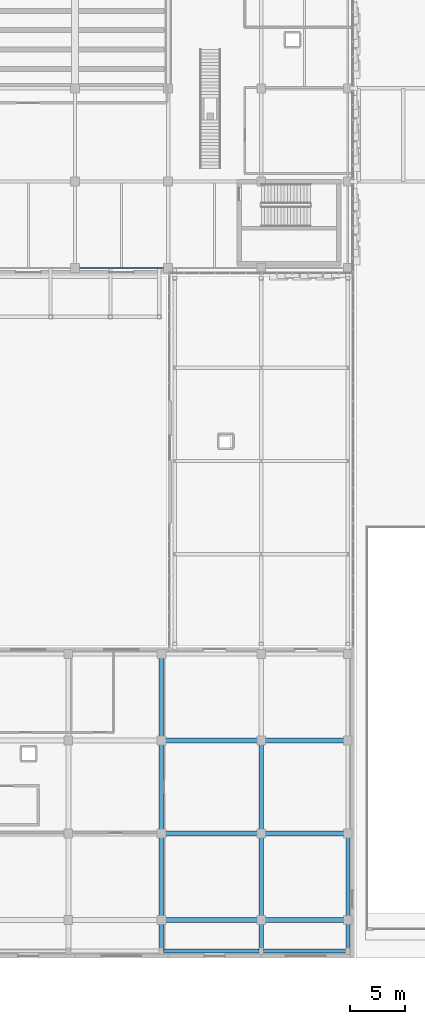
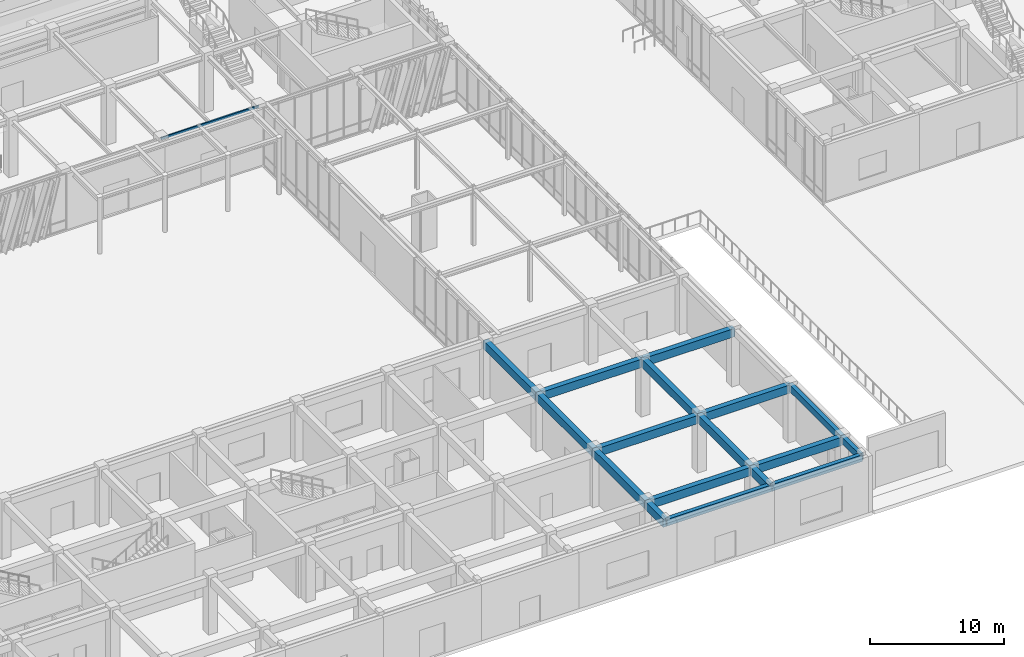
# One storey, part 13 of 122: 18 beams.
"""IFC4 building model written with IfcOpenShell, lengths in metres."""

from ifc_helpers import new_model, si_unit, direction, frame, origin, origin_2d, place, context, subcontext, project, spatial, rectangle, hollow_rectangle, extrude, material, material_profile, profile_set, type_object, element, save


model = new_model("IFC4")

# Units and contexts
model_context = context("Model", 3, precision=1e-05, world=origin(), true_north=direction((0.0, 1.0)))
body_context = subcontext(model_context, "Body", "Model", "MODEL_VIEW")
ifc_project = project(units=[si_unit("LENGTHUNIT", "METRE"), si_unit("AREAUNIT", "SQUARE_METRE"), si_unit("VOLUMEUNIT", "CUBIC_METRE"), si_unit("PLANEANGLEUNIT", "RADIAN"), si_unit("MASSUNIT", "GRAM", prefix="KILO")], contexts=[model_context])

# Site, building, storey
site_placement = place(None, origin())
site = spatial("IfcSite", under=ifc_project, at=site_placement, CompositionType="ELEMENT")
building_placement = place(site_placement, origin())
building = spatial("IfcBuilding", under=site, at=building_placement, Name="Zayran Congress Hotel", CompositionType="ELEMENT")
storey_placement = place(building_placement, origin())
storey = spatial("IfcBuildingStorey", under=building, at=storey_placement, Name="L00", CompositionType="ELEMENT", Elevation=0.0)

# Beams
ifc_material_1 = material(Name="Concrete C40/50", Category="concrete")
ifc_material_profile_1 = material_profile(ifc_material_1, rectangle(XDim=0.449951171875, YDim=0.75, at=origin_2d()), Name="RC 450x750")
ifc_profile_set_1 = profile_set([ifc_material_profile_1], Name="Concrete C40/50")
beam_type_1 = type_object("IfcBeamType", Name="TP-BM-02", PredefinedType="BEAM", material=ifc_profile_set_1)
beam_1_placement = place(storey_placement, frame((75.0, 9.39990234375, 4.72509765625), z_axis=(1.0, 0.0, 0.0), x_axis=(0.0, 1.0, 0.0)))
element("IfcBeam", 1, at=beam_1_placement, inside=storey, type_object=beam_type_1, Name="BM-V5-L00-1602", PredefinedType="BEAM", context=body_context, shape_type="SweptSolid", body=[
    extrude(rectangle(XDim=0.449951171875, YDim=0.75, at=origin_2d()), origin(), (0.0, 0.0, 1.0), 9.0),
])
beam_2_placement = place(storey_placement, frame((84.0, 9.39990234375, 4.72509765625), z_axis=(1.0, 0.0, 0.0), x_axis=(0.0, 1.0, 0.0)))
element("IfcBeam", 2, at=beam_2_placement, inside=storey, type_object=beam_type_1, Name="BM-V5-L00-1603", PredefinedType="BEAM", context=body_context, shape_type="SweptSolid", body=[
    extrude(rectangle(XDim=0.449951171875, YDim=0.75, at=origin_2d()), origin(), (0.0, 0.0, 1.0), 7.800048828125),
])
beam_3_placement = place(storey_placement, frame((75.0, 17.199951171875, 4.72509765625), z_axis=(1.0, 0.0, 0.0), x_axis=(0.0, 1.0, 0.0)))
element("IfcBeam", 3, at=beam_3_placement, inside=storey, type_object=beam_type_1, Name="BM-V5-L00-1612", PredefinedType="BEAM", context=body_context, shape_type="SweptSolid", body=[
    extrude(rectangle(XDim=0.449951171875, YDim=0.75, at=origin_2d()), origin(), (0.0, 0.0, 1.0), 9.0),
])
beam_4_placement = place(storey_placement, frame((84.0, 17.199951171875, 4.72509765625), z_axis=(1.0, 0.0, 0.0), x_axis=(0.0, 1.0, 0.0)))
element("IfcBeam", 4, at=beam_4_placement, inside=storey, type_object=beam_type_1, Name="BM-V5-L00-1613", PredefinedType="BEAM", context=body_context, shape_type="SweptSolid", body=[
    extrude(rectangle(XDim=0.449951171875, YDim=0.75, at=origin_2d()), origin(), (0.0, 0.0, 1.0), 7.800048828125),
])
beam_5_placement = place(storey_placement, frame((75.0, 25.60009765625, 4.72509765625), z_axis=(1.0, 0.0, 0.0), x_axis=(0.0, 1.0, 0.0)))
element("IfcBeam", 5, at=beam_5_placement, inside=storey, type_object=beam_type_1, Name="BM-V5-L00-1622", PredefinedType="BEAM", context=body_context, shape_type="SweptSolid", body=[
    extrude(rectangle(XDim=0.449951171875, YDim=0.75, at=origin_2d()), origin(), (0.0, 0.0, 1.0), 9.0),
])
beam_6_placement = place(storey_placement, frame((84.0, 25.60009765625, 4.72509765625), z_axis=(1.0, 0.0, 0.0), x_axis=(0.0, 1.0, 0.0)))
element("IfcBeam", 6, at=beam_6_placement, inside=storey, type_object=beam_type_1, Name="BM-V5-L00-1623", PredefinedType="BEAM", context=body_context, shape_type="SweptSolid", body=[
    extrude(rectangle(XDim=0.449951171875, YDim=0.75, at=origin_2d()), origin(), (0.0, 0.0, 1.0), 7.800048828125),
])
beam_7_placement = place(storey_placement, frame((75.0, 6.60009765625, 4.72509765625), z_axis=(0.0, 1.0, 0.0), x_axis=(-1.0, 0.0, 0.0)))
element("IfcBeam", 7, at=beam_7_placement, inside=storey, type_object=beam_type_1, Name="BM-V5-L00-1664", PredefinedType="BEAM", context=body_context, shape_type="SweptSolid", body=[
    extrude(rectangle(XDim=0.449951171875, YDim=0.75, at=origin_2d()), origin(), (0.0, 0.0, 1.0), 2.7998046875),
])
beam_8_placement = place(storey_placement, frame((75.0, 9.39990234375, 4.72509765625), z_axis=(0.0, 1.0, 0.0), x_axis=(-1.0, 0.0, 0.0)))
element("IfcBeam", 8, at=beam_8_placement, inside=storey, type_object=beam_type_1, Name="BM-V5-L00-1665", PredefinedType="BEAM", context=body_context, shape_type="SweptSolid", body=[
    extrude(rectangle(XDim=0.449951171875, YDim=0.75, at=origin_2d()), origin(), (0.0, 0.0, 1.0), 7.800048828125),
])
beam_9_placement = place(storey_placement, frame((75.0, 17.199951171875, 4.72509765625), z_axis=(0.0, 1.0, 0.0), x_axis=(-1.0, 0.0, 0.0)))
element("IfcBeam", 9, at=beam_9_placement, inside=storey, type_object=beam_type_1, Name="BM-V5-L00-1666", PredefinedType="BEAM", context=body_context, shape_type="SweptSolid", body=[
    extrude(rectangle(XDim=0.449951171875, YDim=0.75, at=origin_2d()), origin(), (0.0, 0.0, 1.0), 8.400146484375),
])
beam_10_placement = place(storey_placement, frame((75.0, 25.60009765625, 4.72509765625), z_axis=(0.0, 1.0, 0.0), x_axis=(-1.0, 0.0, 0.0)))
element("IfcBeam", 10, at=beam_10_placement, inside=storey, type_object=beam_type_1, Name="BM-V5-L00-1667", PredefinedType="BEAM", context=body_context, shape_type="SweptSolid", body=[
    extrude(rectangle(XDim=0.449951171875, YDim=0.75, at=origin_2d()), origin(), (0.0, 0.0, 1.0), 7.7998046875),
])
beam_11_placement = place(storey_placement, frame((84.0, 6.60009765625, 4.72509765625), z_axis=(0.0, 1.0, 0.0), x_axis=(-1.0, 0.0, 0.0)))
element("IfcBeam", 11, at=beam_11_placement, inside=storey, type_object=beam_type_1, Name="BM-V5-L00-1668", PredefinedType="BEAM", context=body_context, shape_type="SweptSolid", body=[
    extrude(rectangle(XDim=0.449951171875, YDim=0.75, at=origin_2d()), origin(), (0.0, 0.0, 1.0), 2.7998046875),
])
beam_12_placement = place(storey_placement, frame((84.0, 9.39990234375, 4.72509765625), z_axis=(0.0, 1.0, 0.0), x_axis=(-1.0, 0.0, 0.0)))
element("IfcBeam", 12, at=beam_12_placement, inside=storey, type_object=beam_type_1, Name="BM-V5-L00-1669", PredefinedType="BEAM", context=body_context, shape_type="SweptSolid", body=[
    extrude(rectangle(XDim=0.449951171875, YDim=0.75, at=origin_2d()), origin(), (0.0, 0.0, 1.0), 7.800048828125),
])
beam_13_placement = place(storey_placement, frame((84.0, 17.199951171875, 4.72509765625), z_axis=(0.0, 1.0, 0.0), x_axis=(-1.0, 0.0, 0.0)))
element("IfcBeam", 13, at=beam_13_placement, inside=storey, type_object=beam_type_1, Name="BM-V5-L00-1670", PredefinedType="BEAM", context=body_context, shape_type="SweptSolid", body=[
    extrude(rectangle(XDim=0.449951171875, YDim=0.75, at=origin_2d()), origin(), (0.0, 0.0, 1.0), 8.400146484375),
])
ifc_material_profile_2 = material_profile(ifc_material_1, rectangle(XDim=0.35009765625, YDim=0.60009765625, at=origin_2d()), Name="RC 350x600")
ifc_profile_set_2 = profile_set([ifc_material_profile_2], Name="Concrete C40/50")
beam_type_2 = type_object("IfcBeamType", Name="TP-SP-01", PredefinedType="SPANDREL", material=ifc_profile_set_2)
beam_14_placement = place(storey_placement, frame((75.0, 6.60009765625, 4.800048828125), z_axis=(1.0, 0.0, 0.0), x_axis=(0.0, 1.0, 0.0)))
element("IfcBeam", 14, at=beam_14_placement, inside=storey, type_object=beam_type_2, Name="BM-V5-L00-1592", PredefinedType="SPANDREL", context=body_context, shape_type="SweptSolid", body=[
    extrude(rectangle(XDim=0.35009765625, YDim=0.60009765625, at=origin_2d()), origin(), (0.0, 0.0, 1.0), 9.0),
])
beam_15_placement = place(storey_placement, frame((84.0, 6.60009765625, 4.800048828125), z_axis=(1.0, 0.0, 0.0), x_axis=(0.0, 1.0, 0.0)))
element("IfcBeam", 15, at=beam_15_placement, inside=storey, type_object=beam_type_2, Name="BM-V5-L00-1593", PredefinedType="SPANDREL", context=body_context, shape_type="SweptSolid", body=[
    extrude(rectangle(XDim=0.35009765625, YDim=0.60009765625, at=origin_2d()), origin(), (0.0, 0.0, 1.0), 7.800048828125),
])
beam_16_placement = place(storey_placement, frame((91.800048828125, 6.60009765625, 4.800048828125), z_axis=(0.0, 1.0, 0.0), x_axis=(-1.0, 0.0, 0.0)))
element("IfcBeam", 16, at=beam_16_placement, inside=storey, type_object=beam_type_2, Name="BM-V5-L00-1672", PredefinedType="SPANDREL", context=body_context, shape_type="SweptSolid", body=[
    extrude(rectangle(XDim=0.35009765625, YDim=0.60009765625, at=origin_2d()), origin(), (0.0, 0.0, 1.0), 2.7998046875),
])
beam_17_placement = place(storey_placement, frame((91.800048828125, 9.39990234375, 4.800048828125), z_axis=(0.0, 1.0, 0.0), x_axis=(-1.0, 0.0, 0.0)))
element("IfcBeam", 17, at=beam_17_placement, inside=storey, type_object=beam_type_2, Name="BM-V5-L00-1673", PredefinedType="SPANDREL", context=body_context, shape_type="SweptSolid", body=[
    extrude(rectangle(XDim=0.35009765625, YDim=0.60009765625, at=origin_2d()), origin(), (0.0, 0.0, 1.0), 7.800048828125),
])
ifc_material_2 = material(Name="Steel S355", Category="steel")
ifc_material_profile_3 = material_profile(ifc_material_2, hollow_rectangle(XDim=0.1201171875, YDim=0.199951171875, WallThickness=0.008056640625, at=origin_2d()), Name="RHS 200x120x8")
ifc_profile_set_3 = profile_set([ifc_material_profile_3], Name="Steel S355")
beam_type_3 = type_object("IfcBeamType", Name="TP-SP-02", PredefinedType="SPANDREL", material=ifc_profile_set_3)
beam_18_placement = place(storey_placement, frame((67.199951171875, 68.199951171875, 4.97998046875), z_axis=(1.0, 0.0, 0.0), x_axis=(0.0, 1.0, 0.0)))
element("IfcBeam", 18, at=beam_18_placement, inside=storey, type_object=beam_type_3, Name="BM-V1-L00-0396", PredefinedType="SPANDREL", context=body_context, shape_type="SweptSolid", body=[
    extrude(hollow_rectangle(XDim=0.1201171875, YDim=0.199951171875, WallThickness=0.008056640625, at=origin_2d()), origin(), (0.0, 0.0, 1.0), 8.400146484375),
])

save(model, "model.ifc")
